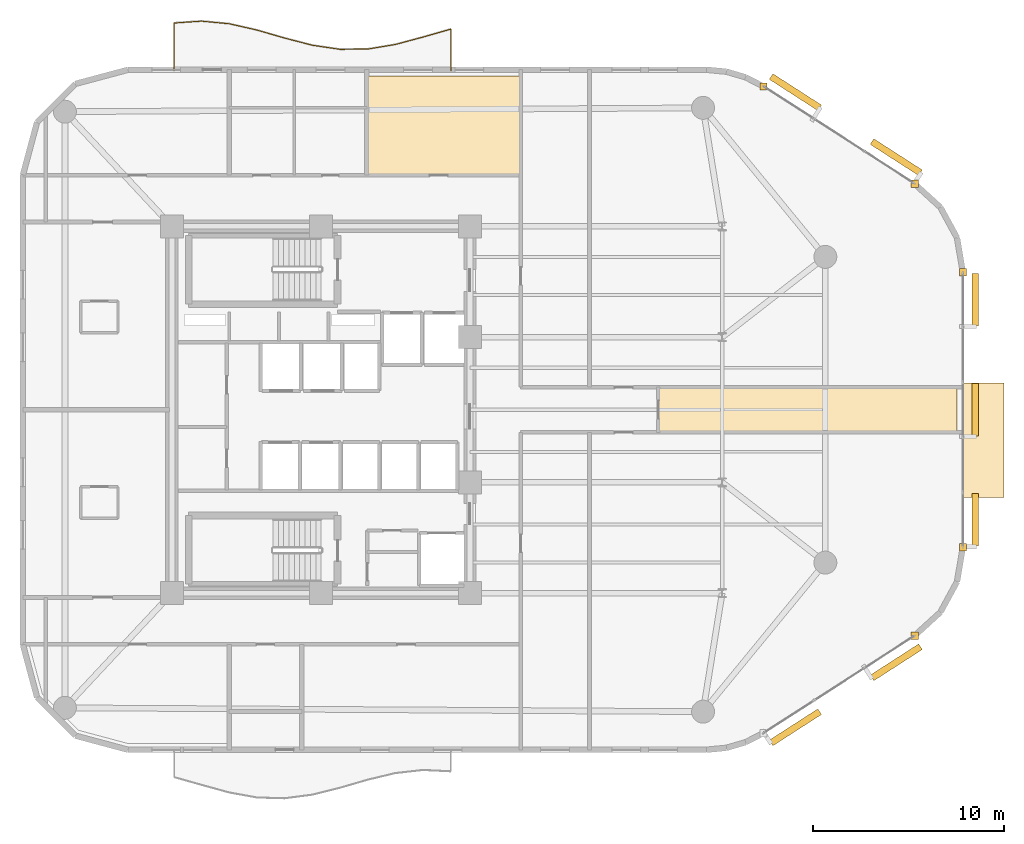
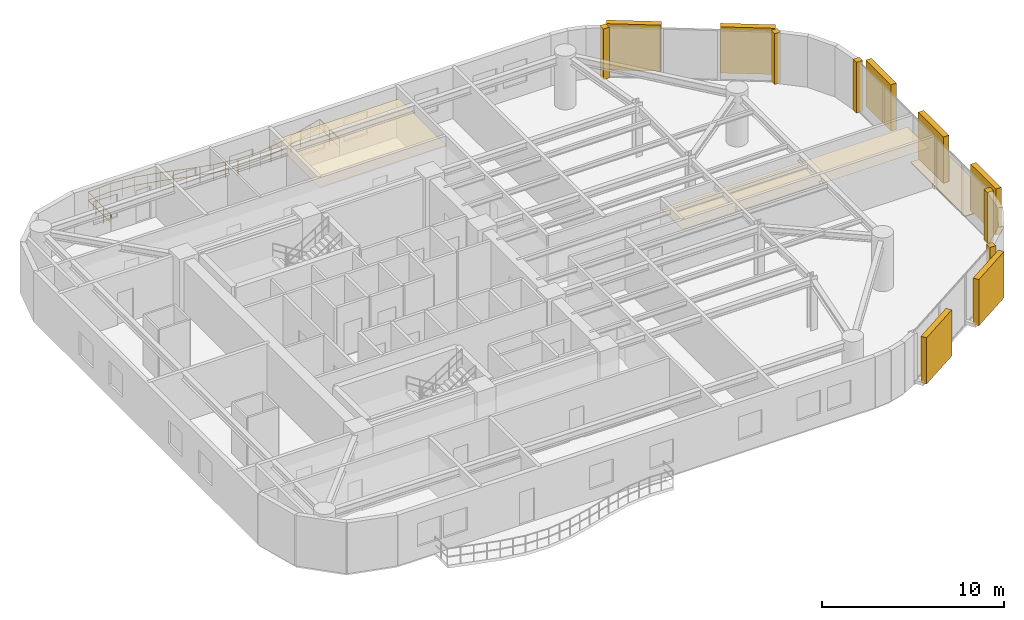
# One storey, part 15 of 15: 8 coverings, 7 shading devices, 1 railing.
"""IFC4 building model written with IfcOpenShell, lengths in metres."""

import ifcopenshell
import ifcopenshell.guid

model = None  # the IFC model being written
_history = None  # IfcOwnerHistory: only IFC2X3 demands one
_inside = {}  # id of a spatial element -> (the spatial element, [elements in it])
_under = {}  # id of a project, library or spatial element -> (it, [spatial elements below it])
_declared = {}  # id of a project -> (the project, [libraries it declares])
_typed = {}  # id of a type object -> (the type object, [elements of that type])
_made_of = {}  # id of a material, layer set ... -> (it, [elements and type objects made of it])


def new_model(schema):
    """Start an empty IFC model of exactly this schema.

    Asked for "IFC4X3", IfcOpenShell would pick the latest addendum, in which some entities
    have other attributes; the version numbers below select the first issue.
    IFC2X3 requires an IfcOwnerHistory on every rooted entity: one is made here for all.
    """
    global model, _history
    if schema == "IFC4X3":
        model = ifcopenshell.file(schema_version=(4, 3, 0, 0))
    else:
        model = ifcopenshell.file(schema=schema)
    _inside.clear()
    _under.clear()
    _declared.clear()
    _typed.clear()
    _made_of.clear()
    _history = None
    if model.schema == "IFC2X3":
        org = make("IfcOrganization", Name="unknown")
        user = make(
            "IfcPersonAndOrganization",
            ThePerson=make("IfcPerson", FamilyName="unknown"),
            TheOrganization=org,
        )
        app = make(
            "IfcApplication",
            ApplicationDeveloper=org,
            Version="unknown",
            ApplicationFullName="unknown",
            ApplicationIdentifier="unknown",
        )
        _history = make(
            "IfcOwnerHistory",
            OwningUser=user,
            OwningApplication=app,
            ChangeAction="ADDED",
            CreationDate=0,
        )
    return model


def make(cls, **values):
    """One entity of the class cls with the attributes given. An attribute that is None is left unset."""
    return model.create_entity(
        cls, **{name: value for name, value in values.items() if value is not None}
    )


def rooted(cls, **values):
    """An entity with a GlobalId (a new one), such as an element, a storey or a relation."""
    return make(cls, GlobalId=ifcopenshell.guid.new(), OwnerHistory=_history, **values)


def si_unit(unit_type, name, prefix=None):
    """IfcSIUnit, for example si_unit("LENGTHUNIT", "METRE", prefix="MILLI")."""
    return make("IfcSIUnit", UnitType=unit_type, Prefix=prefix, Name=name)


def assignment(units):
    """IfcUnitAssignment: the units of a project."""
    return None if units is None else make("IfcUnitAssignment", Units=units)


def point(xyz):
    """IfcCartesianPoint."""
    return None if xyz is None else make("IfcCartesianPoint", Coordinates=xyz)


def direction(xyz):
    """IfcDirection."""
    return None if xyz is None else make("IfcDirection", DirectionRatios=xyz)


def frame(location, z_axis=None, x_axis=None):
    """IfcAxis2Placement3D, a coordinate frame: its origin and axes. An axis left out is left unset."""
    return make(
        "IfcAxis2Placement3D",
        Location=point(location),
        Axis=direction(z_axis),
        RefDirection=direction(x_axis),
    )


def frame_2d(location, x_axis=None):
    """IfcAxis2Placement2D, a coordinate frame in the plane: its origin and x axis."""
    return make(
        "IfcAxis2Placement2D", Location=point(location), RefDirection=direction(x_axis)
    )


def origin():
    """The frame at (0, 0, 0) with its axes left unset."""
    return frame((0.0, 0.0, 0.0))


def origin_2d():
    """The frame at (0, 0) in the plane with its x axis left unset."""
    return frame_2d((0.0, 0.0))


def place(relative_to, where):
    """IfcLocalPlacement: puts the frame where relative to a parent placement (None: the world)."""
    return make(
        "IfcLocalPlacement", PlacementRelTo=relative_to, RelativePlacement=where
    )


def context(
    kind, dimensions, precision=None, world=None, true_north=None, identifier=None
):
    """IfcGeometricRepresentationContext, for example the 3D "Model" context."""
    return make(
        "IfcGeometricRepresentationContext",
        ContextIdentifier=identifier,
        ContextType=kind,
        CoordinateSpaceDimension=dimensions,
        Precision=precision,
        WorldCoordinateSystem=world,
        TrueNorth=true_north,
    )


def subcontext(parent, identifier, kind, view, scale=None):
    """IfcGeometricRepresentationSubContext, for example "Body" below "Model"."""
    return make(
        "IfcGeometricRepresentationSubContext",
        ContextIdentifier=identifier,
        ContextType=kind,
        ParentContext=parent,
        TargetScale=scale,
        TargetView=view,
    )


def project(units=None, contexts=None):
    """IfcProject with its units and contexts."""
    return rooted(
        "IfcProject",
        Name="project",
        RepresentationContexts=contexts,
        UnitsInContext=assignment(units),
    )


def spatial(cls, under=None, at=None, **own):
    """A site, building, storey or space (cls), placed at a placement, below another one or the project."""
    s = rooted(cls, ObjectPlacement=at, **own)
    if under is not None:
        _under.setdefault(under.id(), (under, []))[1].append(s)
    return s


def polyline(points):
    """IfcPolyline through the points."""
    return make("IfcPolyline", Points=[point(p) for p in points])


def profile(cls, at=None, kind="AREA", **sizes):
    """A parametric profile (cls). Its sizes go by their IFC names, for example OverallWidth=200.0."""
    return make(cls, ProfileType=kind, Position=at, **sizes)


def rectangle(**sizes):
    """IfcRectangleProfileDef."""
    return profile("IfcRectangleProfileDef", **sizes)


def circle(**sizes):
    """IfcCircleProfileDef."""
    return profile("IfcCircleProfileDef", **sizes)


def outline(outer, holes=None, kind="AREA"):
    """IfcArbitraryClosedProfileDef: a profile drawn as a closed curve; with holes, ...WithVoids."""
    if holes is None:
        return make("IfcArbitraryClosedProfileDef", ProfileType=kind, OuterCurve=outer)
    return make(
        "IfcArbitraryProfileDefWithVoids",
        ProfileType=kind,
        OuterCurve=outer,
        InnerCurves=holes,
    )


def extrude(swept, where, along, depth):
    """IfcExtrudedAreaSolid: the profile swept, set in the frame where, extruded along a direction by depth."""
    return make(
        "IfcExtrudedAreaSolid",
        SweptArea=swept,
        Position=where,
        ExtrudedDirection=direction(along),
        Depth=depth,
    )


def shape(context_of_items, identifier, shape_type, items):
    """IfcShapeRepresentation: the items that make up one representation, for example the "Body"."""
    return make(
        "IfcShapeRepresentation",
        ContextOfItems=context_of_items,
        RepresentationIdentifier=identifier,
        RepresentationType=shape_type,
        Items=items,
    )


def material(Name=None, Category=None):
    """IfcMaterial."""
    return make("IfcMaterial", Name=Name, Category=Category)


def layer(
    of_material, thickness, ventilated=None, Name=None, Category=None, Priority=None
):
    """IfcMaterialLayer: one layer of a wall or slab, of a material (None: an air gap)."""
    return make(
        "IfcMaterialLayer",
        Material=of_material,
        LayerThickness=thickness,
        IsVentilated=ventilated,
        Name=Name,
        Category=Category,
        Priority=Priority,
    )


def layer_set(layers, Name=None):
    """IfcMaterialLayerSet."""
    return make("IfcMaterialLayerSet", MaterialLayers=layers, LayerSetName=Name)


def made_of(thing, what):
    """Note that an element or type object is made of a material, layer set ...; save() writes the relation."""
    if what is not None:
        _made_of.setdefault(what.id(), (what, []))[1].append(thing)
    return thing


def type_object(cls, material=None, **own):
    """A type object (cls), such as IfcWallType, which elements share."""
    return made_of(rooted(cls, **own), material)


def element(
    cls,
    number,
    at=None,
    inside=None,
    cuts=None,
    type_object=None,
    material=None,
    context=None,
    identifier="Body",
    shape_type=None,
    held_by="IfcProductDefinitionShape",
    body=None,
    shapes=None,
    **own,
):
    """One element of the class cls, such as IfcWall. Its Tag is "e" and its number.

    at: its placement. inside: the storey or other place that contains it. cuts: it is an
    opening in that element (IfcRelVoidsElement). A single representation is given by context,
    identifier, shape_type and body (its items); several are given by shapes. held_by: the class
    of the entity that holds the representations. save() writes the other relations.
    """
    e = rooted(cls, Tag="e%d" % number, ObjectPlacement=at, **own)
    if body is not None:
        shapes = [shape(context, identifier, shape_type, body)]
    if shapes is not None:
        e.Representation = make(held_by, Representations=shapes)
    if inside is not None:
        _inside.setdefault(inside.id(), (inside, []))[1].append(e)
    if cuts is not None:
        rooted(
            "IfcRelVoidsElement", RelatingBuildingElement=cuts, RelatedOpeningElement=e
        )
    if type_object is not None:
        _typed.setdefault(type_object.id(), (type_object, []))[1].append(e)
    return made_of(e, material)


def aggregate(whole, parts):
    """IfcRelAggregates: a whole, such as a stair, and the parts it consists of."""
    return rooted("IfcRelAggregates", RelatingObject=whole, RelatedObjects=parts)


def save(model, path):
    """Write the relations noted so far, then the file.

    IfcRelAggregates (storeys below a building ...), IfcRelContainedInSpatialStructure (elements
    in a storey), IfcRelDefinesByType, IfcRelAssociatesMaterial and IfcRelDeclares: one each for
    every whole, place, type object, material and project.
    """
    for whole, parts in _under.values():
        aggregate(whole, parts)
    for where, things in _inside.values():
        rooted(
            "IfcRelContainedInSpatialStructure",
            RelatedElements=things,
            RelatingStructure=where,
        )
    for kind, things in _typed.values():
        rooted("IfcRelDefinesByType", RelatedObjects=things, RelatingType=kind)
    for what, things in _made_of.values():
        rooted("IfcRelAssociatesMaterial", RelatedObjects=things, RelatingMaterial=what)
    for by, libraries in _declared.values():
        rooted("IfcRelDeclares", RelatingContext=by, RelatedDefinitions=libraries)
    model.write(path)


model = new_model("IFC4")

# Units and contexts
model_context = context("Model", 3, precision=1e-05, world=origin(), true_north=direction((0.0, 1.0)))
body_context = subcontext(model_context, "Body", "Model", "MODEL_VIEW")
ifc_project = project(units=[si_unit("LENGTHUNIT", "METRE"), si_unit("AREAUNIT", "SQUARE_METRE"), si_unit("VOLUMEUNIT", "CUBIC_METRE"), si_unit("PLANEANGLEUNIT", "RADIAN"), si_unit("MASSUNIT", "GRAM", prefix="KILO")], contexts=[model_context])

# Site, building, storey
site_placement = place(None, origin())
site = spatial("IfcSite", under=ifc_project, at=site_placement, CompositionType="ELEMENT")
building_placement = place(site_placement, origin())
building = spatial("IfcBuilding", under=site, at=building_placement, Name="An Khanh Terracotta Commons", CompositionType="ELEMENT")
storey_placement = place(building_placement, frame((0.0, 0.0, 176.199951171875)))
storey = spatial("IfcBuildingStorey", under=building, at=storey_placement, Name="L46", CompositionType="ELEMENT", Elevation=176.199951171875)

# Coverings
ifc_material_1 = material(Name="Perforated Mineral-Fibre Acoustic Tile")
ifc_layer_1 = layer(ifc_material_1, 0.02001953125, Name="Perforated Mineral-Fibre Acoustic Tile")
ifc_layer_set_1 = layer_set([ifc_layer_1], Name="Perforated Mineral-Fibre Acoustic Tile")
covering_type_1 = type_object("IfcCoveringType", Name="CEIL-ACOUSTIC-18", PredefinedType="CEILING", material=ifc_layer_set_1)
covering_1_placement = place(storey_placement, frame((0.0, 0.0, 2.650146484375)))
element("IfcCovering", 1, at=covering_1_placement, inside=storey, type_object=covering_type_1, Name="L46 Academic Seminar Room Ceiling", PredefinedType="CEILING", context=body_context, shape_type="SweptSolid", body=[
    extrude(outline(polyline([(62.679931640625, 22.820068359375), (47.050048828125, 22.820068359375), (47.050048828125, 25.179931640625), (62.679931640625, 25.179931640625), (62.679931640625, 22.820068359375)])), origin(), (0.0, 0.0, 1.0), 0.02001953125),
])
covering_2_placement = place(storey_placement, frame((0.0, 0.0, 2.650146484375)))
element("IfcCovering", 2, at=covering_2_placement, inside=storey, type_object=covering_type_1, Name="L46 Student Reading Library Ceiling", PredefinedType="CEILING", context=body_context, shape_type="SweptSolid", body=[
    extrude(outline(polyline([(39.85009765625, 41.47998046875), (39.85009765625, 36.280029296875), (37.5, 36.280029296875), (31.800048828125, 36.280029296875), (31.800048828125, 39.800048828125), (31.800048828125, 41.47998046875), (39.85009765625, 41.47998046875)])), origin(), (0.0, 0.0, 1.0), 0.02001953125),
])
ifc_material_2 = material(Name="Fired Terracotta Rainscreen Cladding", Category="masonry")
ifc_layer_2 = layer(ifc_material_2, 0.080078125, Name="Fired Terracotta Rainscreen Cladding")
ifc_layer_set_2 = layer_set([ifc_layer_2], Name="Fired Terracotta Rainscreen Cladding")
covering_type_2 = type_object("IfcCoveringType", Name="COV-JAMB-TERRA", PredefinedType="CLADDING", material=ifc_layer_set_2)
for number, where, z_axis, x_axis, name in (
    (3, (60.47802734375, 12.176025390625, 0.0), (0.0, 0.0, 1.0), (1.0, 0.0, 0.0), "L46 CW-03 Curtain-Wall Jamb Closure JB"),
    (4, (63.0, 16.800048828125, 0.0), (0.0, 0.0, 1.0), (1.0, 0.0, 0.0), "L46 CW-03 Curtain-Wall Jamb Closure JA"),
    (5, (63.0, 31.199951171875, 0.0), (0.0, 0.0, 1.0), (1.0, 0.0, 0.0), "L46 CW-03 Curtain-Wall Jamb Closure JB"),
    (6, (60.47802734375, 35.823974609375, 0.0), (0.0, 0.0, 1.0), (1.0, 0.0, 0.0), "L46 CW-03 Curtain-Wall Jamb Closure JA"),
    (7, (52.56005859375, 40.924072265625, 0.0), (0.0, 0.0, 1.0), (1.0, 0.0, 0.0), "L46 CW-03 Curtain-Wall Jamb Closure JB"),
):
    element("IfcCovering", number, at=place(storey_placement, frame(where, z_axis=z_axis, x_axis=x_axis)), inside=storey, type_object=covering_type_2, Name=name, PredefinedType="CLADDING", context=body_context, shape_type="SweptSolid", body=[
        extrude(rectangle(XDim=0.3798828125, YDim=0.3798828125, at=origin_2d()), origin(), (0.0, 0.0, 1.0), 3.39990234375),
    ])
ifc_material_3 = material(Name="Planted Garden Waterproofing Membrane")
ifc_layer_3 = layer(ifc_material_3, 0.080078125, Name="Planted Garden Waterproofing Membrane")
ifc_layer_set_3 = layer_set([ifc_layer_3], Name="Planted Garden Waterproofing Membrane")
covering_type_3 = type_object("IfcCoveringType", Name="COV-ROOFING-GREEN", PredefinedType="ROOFING", material=ifc_layer_set_3)
covering_3_placement = place(storey_placement, origin())
element("IfcCovering", 8, at=covering_3_placement, inside=storey, type_object=covering_type_3, Name="L46 Shifted Box Roof Waterproofing (L45)", PredefinedType="ROOFING", context=body_context, shape_type="SweptSolid", body=[
    extrude(outline(polyline([(63.0, 19.39990234375), (65.14990234375, 19.39990234375), (65.14990234375, 25.39990234375), (63.0, 25.39990234375), (63.0, 19.39990234375)])), origin(), (0.0, 0.0, 1.0), 0.06005859375),
])

# Railing
ifc_material_4 = material(Name="Brushed Stainless Steel 316", Category="steel")
railing_type = type_object("IfcRailingType", Name="RAIL-BALUSTRADE-1100", PredefinedType="BALUSTRADE", material=ifc_material_4)
railing_placement = place(storey_placement, frame((36.199951171875, 41.739990234375, 0.0)))
element("IfcRailing", 9, at=railing_placement, inside=storey, type_object=railing_type, Name="L46 N Wave Balcony Guard Balustrade", PredefinedType="BALUSTRADE", context=body_context, shape_type="SweptSolid", body=[
    extrude(circle(Radius=0.02392578125, at=origin_2d()), frame((0.0, 0.0, 1.076171875), z_axis=(0.0, 1.0, 0.0), x_axis=(-1.0, 0.0, 0.0)), (0.0, 0.0, 1.0), 2.18212890625),
    extrude(circle(Radius=0.02392578125, at=origin_2d()), frame((0.0, 0.0, 0.52587890625), z_axis=(0.0, 1.0, 0.0), x_axis=(-1.0, 0.0, 0.0)), (0.0, 0.0, 1.0), 2.18212890625),
    extrude(circle(Radius=0.02392578125, at=origin_2d()), frame((0.0, 2.18212890625, 1.076171875), z_axis=(-0.961389443871, -0.275191455562, 0.0), x_axis=(0.275191455562, -0.961389443871, 0.0)), (0.0, 0.0, 1.0), 1.50830078125),
    extrude(circle(Radius=0.02392578125, at=origin_2d()), frame((0.0, 2.18212890625, 0.52587890625), z_axis=(-0.961389443871, -0.275191455562, 0.0), x_axis=(0.275191455562, -0.961389443871, 0.0)), (0.0, 0.0, 1.0), 1.50830078125),
    extrude(circle(Radius=0.02392578125, at=origin_2d()), frame((-1.449951171875, 1.76708984375, 1.076171875), z_axis=(-0.965818015199, -0.259221066885, 0.0), x_axis=(0.259221066885, -0.965818015199, 0.0)), (0.0, 0.0, 1.0), 1.501220703125),
    extrude(circle(Radius=0.02392578125, at=origin_2d()), frame((-1.449951171875, 1.76708984375, 0.52587890625), z_axis=(-0.965818015199, -0.259221066885, 0.0), x_axis=(0.259221066885, -0.965818015199, 0.0)), (0.0, 0.0, 1.0), 1.501220703125),
    extrude(circle(Radius=0.02392578125, at=origin_2d()), frame((-2.89990234375, 1.3779296875, 1.076171875), z_axis=(-0.986577382684, -0.163294421145, 0.0), x_axis=(0.163294421145, -0.986577382684, 0.0)), (0.0, 0.0, 1.0), 1.4697265625),
    extrude(circle(Radius=0.02392578125, at=origin_2d()), frame((-2.89990234375, 1.3779296875, 0.52587890625), z_axis=(-0.986577382684, -0.163294421145, 0.0), x_axis=(0.163294421145, -0.986577382684, 0.0)), (0.0, 0.0, 1.0), 1.4697265625),
    extrude(circle(Radius=0.02392578125, at=origin_2d()), frame((-4.349853515625, 1.137939453125, 1.076171875), z_axis=(-0.99994727429, -0.01026881881, 0.0), x_axis=(0.01026881881, -0.99994727429, 0.0)), (0.0, 0.0, 1.0), 1.4501953125),
    extrude(circle(Radius=0.02392578125, at=origin_2d()), frame((-4.349853515625, 1.137939453125, 0.52587890625), z_axis=(-0.99994727429, -0.01026881881, 0.0), x_axis=(0.01026881881, -0.99994727429, 0.0)), (0.0, 0.0, 1.0), 1.4501953125),
    extrude(circle(Radius=0.02392578125, at=origin_2d()), frame((-5.800048828125, 1.123046875, 1.076171875), z_axis=(-0.989296277489, 0.145920784489, 0.0), x_axis=(-0.145920784489, -0.989296277489, 0.0)), (0.0, 0.0, 1.0), 1.465576171875),
    extrude(circle(Radius=0.02392578125, at=origin_2d()), frame((-5.800048828125, 1.123046875, 0.52587890625), z_axis=(-0.989296277489, 0.145920784489, 0.0), x_axis=(-0.145920784489, -0.989296277489, 0.0)), (0.0, 0.0, 1.0), 1.465576171875),
    extrude(circle(Radius=0.02392578125, at=origin_2d()), frame((-7.25, 1.3369140625, 1.076171875), z_axis=(-0.967986632035, 0.251001753382, 0.0), x_axis=(-0.251001753382, -0.967986632035, 0.0)), (0.0, 0.0, 1.0), 1.497802734375),
    extrude(circle(Radius=0.02392578125, at=origin_2d()), frame((-7.25, 1.3369140625, 0.52587890625), z_axis=(-0.967986632035, 0.251001753382, 0.0), x_axis=(-0.251001753382, -0.967986632035, 0.0)), (0.0, 0.0, 1.0), 1.497802734375),
    extrude(circle(Radius=0.02392578125, at=origin_2d()), frame((-8.699951171875, 1.712890625, 1.076171875), z_axis=(-0.960658574366, 0.277732071424, 0.0), x_axis=(-0.277732071424, -0.960658574366, 0.0)), (0.0, 0.0, 1.0), 1.50927734375),
    extrude(circle(Radius=0.02392578125, at=origin_2d()), frame((-8.699951171875, 1.712890625, 0.52587890625), z_axis=(-0.960658574366, 0.277732071424, 0.0), x_axis=(-0.277732071424, -0.960658574366, 0.0)), (0.0, 0.0, 1.0), 1.50927734375),
    extrude(circle(Radius=0.02392578125, at=origin_2d()), frame((-10.14990234375, 2.132080078125, 1.076171875), z_axis=(-0.97508929109, 0.221812701172, 0.0), x_axis=(-0.221812701172, -0.97508929109, 0.0)), (0.0, 0.0, 1.0), 1.487060546875),
    extrude(circle(Radius=0.02392578125, at=origin_2d()), frame((-10.14990234375, 2.132080078125, 0.52587890625), z_axis=(-0.97508929109, 0.221812701172, 0.0), x_axis=(-0.221812701172, -0.97508929109, 0.0)), (0.0, 0.0, 1.0), 1.487060546875),
    extrude(circle(Radius=0.02392578125, at=origin_2d()), frame((-11.599853515625, 2.4619140625, 1.076171875), z_axis=(-0.995554036184, 0.094192149551, 0.0), x_axis=(-0.094192149551, -0.995554036184, 0.0)), (0.0, 0.0, 1.0), 1.456787109375),
    extrude(circle(Radius=0.02392578125, at=origin_2d()), frame((-11.599853515625, 2.4619140625, 0.52587890625), z_axis=(-0.995554036184, 0.094192149551, 0.0), x_axis=(-0.094192149551, -0.995554036184, 0.0)), (0.0, 0.0, 1.0), 1.456787109375),
    extrude(circle(Radius=0.02392578125, at=origin_2d()), frame((-13.050048828125, 2.59912109375, 1.076171875), z_axis=(-0.997671498756, -0.0682024968, 0.0), x_axis=(0.0682024968, -0.997671498756, 0.0)), (0.0, 0.0, 1.0), 1.453369140625),
    extrude(circle(Radius=0.02392578125, at=origin_2d()), frame((-13.050048828125, 2.59912109375, 0.52587890625), z_axis=(-0.997671498756, -0.0682024968, 0.0), x_axis=(0.0682024968, -0.997671498756, 0.0)), (0.0, 0.0, 1.0), 1.453369140625),
    extrude(circle(Radius=0.02392578125, at=origin_2d()), frame((-14.5, 2.5, 1.076171875), z_axis=(0.0, -1.0, 0.0), x_axis=(1.0, 0.0, 0.0)), (0.0, 0.0, 1.0), 2.5),
    extrude(circle(Radius=0.02392578125, at=origin_2d()), frame((-14.5, 2.5, 0.52587890625), z_axis=(0.0, -1.0, 0.0), x_axis=(1.0, 0.0, 0.0)), (0.0, 0.0, 1.0), 2.5),
    extrude(circle(Radius=0.02099609375, at=origin_2d()), origin(), (0.0, 0.0, 1.0), 1.052001953125),
    extrude(circle(Radius=0.02099609375, at=origin_2d()), frame((0.0, 1.091064453125, 0.0)), (0.0, 0.0, 1.0), 1.052001953125),
    extrude(circle(Radius=0.02099609375, at=origin_2d()), frame((0.0, 2.18212890625, 0.0)), (0.0, 0.0, 1.0), 1.052001953125),
    extrude(circle(Radius=0.02099609375, at=origin_2d()), frame((-0.72509765625, 1.974609375, 0.0)), (0.0, 0.0, 1.0), 1.052001953125),
    extrude(circle(Radius=0.02099609375, at=origin_2d()), frame((-1.449951171875, 1.76708984375, 0.0)), (0.0, 0.0, 1.0), 1.052001953125),
    extrude(circle(Radius=0.02099609375, at=origin_2d()), frame((-2.1748046875, 1.572509765625, 0.0)), (0.0, 0.0, 1.0), 1.052001953125),
    extrude(circle(Radius=0.02099609375, at=origin_2d()), frame((-2.89990234375, 1.3779296875, 0.0)), (0.0, 0.0, 1.0), 1.052001953125),
    extrude(circle(Radius=0.02099609375, at=origin_2d()), frame((-3.625, 1.2578125, 0.0)), (0.0, 0.0, 1.0), 1.052001953125),
    extrude(circle(Radius=0.02099609375, at=origin_2d()), frame((-4.349853515625, 1.137939453125, 0.0)), (0.0, 0.0, 1.0), 1.052001953125),
    extrude(circle(Radius=0.02099609375, at=origin_2d()), frame((-5.074951171875, 1.13037109375, 0.0)), (0.0, 0.0, 1.0), 1.052001953125),
    extrude(circle(Radius=0.02099609375, at=origin_2d()), frame((-5.800048828125, 1.123046875, 0.0)), (0.0, 0.0, 1.0), 1.052001953125),
    extrude(circle(Radius=0.02099609375, at=origin_2d()), frame((-6.52490234375, 1.22998046875, 0.0)), (0.0, 0.0, 1.0), 1.052001953125),
    extrude(circle(Radius=0.02099609375, at=origin_2d()), frame((-7.25, 1.3369140625, 0.0)), (0.0, 0.0, 1.0), 1.052001953125),
    extrude(circle(Radius=0.02099609375, at=origin_2d()), frame((-7.97509765625, 1.52490234375, 0.0)), (0.0, 0.0, 1.0), 1.052001953125),
    extrude(circle(Radius=0.02099609375, at=origin_2d()), frame((-8.699951171875, 1.712890625, 0.0)), (0.0, 0.0, 1.0), 1.052001953125),
    extrude(circle(Radius=0.02099609375, at=origin_2d()), frame((-9.4248046875, 1.92236328125, 0.0)), (0.0, 0.0, 1.0), 1.052001953125),
    extrude(circle(Radius=0.02099609375, at=origin_2d()), frame((-10.14990234375, 2.132080078125, 0.0)), (0.0, 0.0, 1.0), 1.052001953125),
    extrude(circle(Radius=0.02099609375, at=origin_2d()), frame((-10.875, 2.296875, 0.0)), (0.0, 0.0, 1.0), 1.052001953125),
    extrude(circle(Radius=0.02099609375, at=origin_2d()), frame((-11.599853515625, 2.4619140625, 0.0)), (0.0, 0.0, 1.0), 1.052001953125),
    extrude(circle(Radius=0.02099609375, at=origin_2d()), frame((-12.324951171875, 2.530517578125, 0.0)), (0.0, 0.0, 1.0), 1.052001953125),
    extrude(circle(Radius=0.02099609375, at=origin_2d()), frame((-13.050048828125, 2.59912109375, 0.0)), (0.0, 0.0, 1.0), 1.052001953125),
    extrude(circle(Radius=0.02099609375, at=origin_2d()), frame((-13.77490234375, 2.549560546875, 0.0)), (0.0, 0.0, 1.0), 1.052001953125),
    extrude(circle(Radius=0.02099609375, at=origin_2d()), frame((-14.5, 2.5, 0.0)), (0.0, 0.0, 1.0), 1.052001953125),
    extrude(circle(Radius=0.02099609375, at=origin_2d()), frame((-14.5, 1.666748046875, 0.0)), (0.0, 0.0, 1.0), 1.052001953125),
    extrude(circle(Radius=0.02099609375, at=origin_2d()), frame((-14.5, 0.833251953125, 0.0)), (0.0, 0.0, 1.0), 1.052001953125),
    extrude(circle(Radius=0.02099609375, at=origin_2d()), frame((-14.5, 0.0, 0.0)), (0.0, 0.0, 1.0), 1.052001953125),
])

# Shading devices
ifc_material_5 = material(Name="Extruded Fired Terracotta", Category="masonry")
shading_device_type = type_object("IfcShadingDeviceType", Name="Terracotta Baguette Screen Assembly", PredefinedType="USERDEFINED", material=ifc_material_5)
for number, where, z_axis, x_axis, name in (
    (10, (54.23193359375, 7.3798828125, 0.14990234375), (0.0, 0.0, 1.0), (0.840702081986, 0.541497931062, 0.0), "L46 Terracotta Baguette Screen 1"),
    (11, (59.510009765625, 10.780029296875, 0.14990234375), (0.0, 0.0, 1.0), (0.840702081986, 0.541497931062, 0.0), "L46 Terracotta Baguette Screen 3"),
):
    element("IfcShadingDevice", number, at=place(storey_placement, frame(where, z_axis=z_axis, x_axis=x_axis)), inside=storey, type_object=shading_device_type, Name=name, ObjectType="BAGUETTE", PredefinedType="USERDEFINED", context=body_context, shape_type="SweptSolid", body=[
        extrude(rectangle(XDim=3.01904296875, YDim=0.35009765625, at=origin_2d()), origin(), (0.0, 0.0, 1.0), 3.10009765625),
    ])
for number, where, z_axis, x_axis, name in (
    (12, (63.64990234375, 18.239990234375, 0.14990234375), (0.0, 0.0, 1.0), (0.0, 1.0, 0.0), "L46 Terracotta Baguette Screen 1"),
    (13, (63.64990234375, 24.0, 0.14990234375), (0.0, 0.0, 1.0), (0.0, 1.0, 0.0), "L46 Terracotta Baguette Screen 3"),
    (14, (63.64990234375, 29.760009765625, 0.14990234375), (0.0, 0.0, 1.0), (0.0, 1.0, 0.0), "L46 Terracotta Baguette Screen 5"),
):
    element("IfcShadingDevice", number, at=place(storey_placement, frame(where, z_axis=z_axis, x_axis=x_axis)), inside=storey, type_object=shading_device_type, Name=name, ObjectType="BAGUETTE", PredefinedType="USERDEFINED", context=body_context, shape_type="SweptSolid", body=[
        extrude(rectangle(XDim=2.760009765625, YDim=0.35009765625, at=origin_2d()), origin(), (0.0, 0.0, 1.0), 3.10009765625),
    ])
for number, where, z_axis, x_axis, name in (
    (15, (59.510009765625, 37.219970703125, 0.14990234375), (0.0, 0.0, 1.0), (-0.840702081986, 0.541497931062, 0.0), "L46 Terracotta Baguette Screen 1"),
    (16, (54.23193359375, 40.6201171875, 0.14990234375), (0.0, 0.0, 1.0), (-0.840702081986, 0.541497931062, 0.0), "L46 Terracotta Baguette Screen 3"),
):
    element("IfcShadingDevice", number, at=place(storey_placement, frame(where, z_axis=z_axis, x_axis=x_axis)), inside=storey, type_object=shading_device_type, Name=name, ObjectType="BAGUETTE", PredefinedType="USERDEFINED", context=body_context, shape_type="SweptSolid", body=[
        extrude(rectangle(XDim=3.01904296875, YDim=0.35009765625, at=origin_2d()), origin(), (0.0, 0.0, 1.0), 3.10009765625),
    ])

save(model, "model.ifc")
